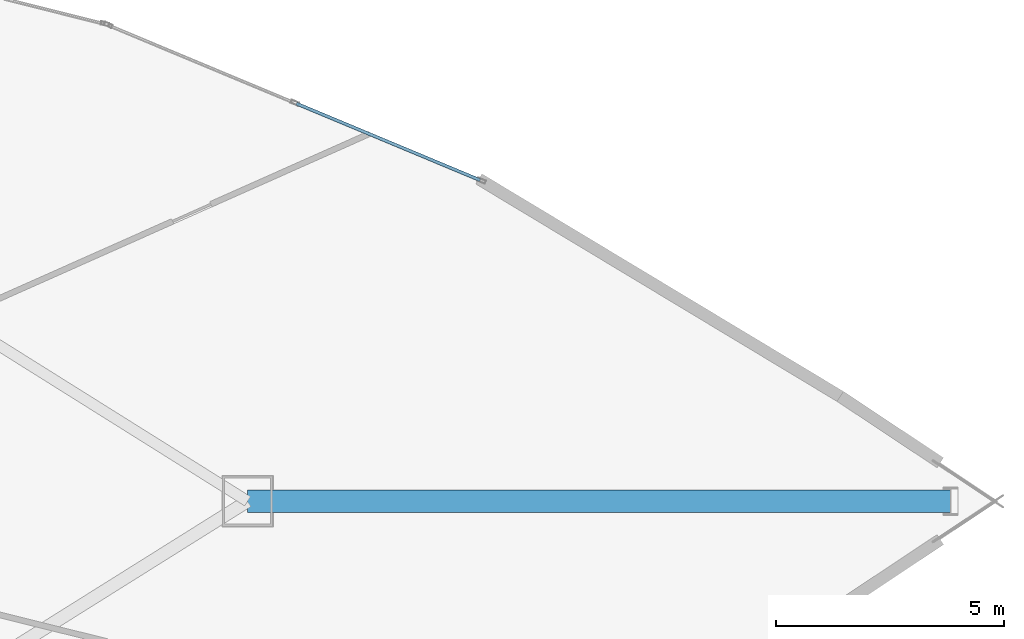
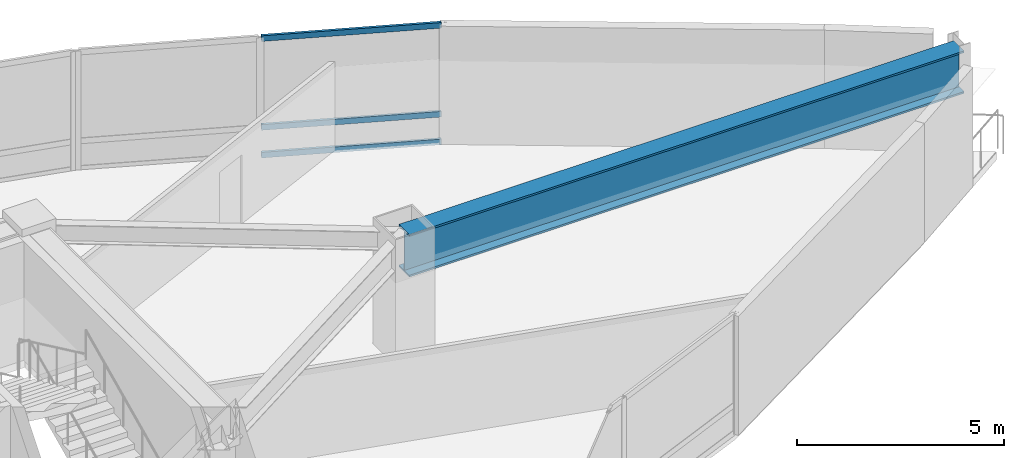
# One storey, part 11 of 18: 3 members, 1 beam, 1 element without a shape of its own.
"""IFC4 building model written with IfcOpenShell, lengths in metres."""

import ifcopenshell
import ifcopenshell.guid

model = None  # the IFC model being written
_history = None  # IfcOwnerHistory: only IFC2X3 demands one
_inside = {}  # id of a spatial element -> (the spatial element, [elements in it])
_under = {}  # id of a project, library or spatial element -> (it, [spatial elements below it])
_declared = {}  # id of a project -> (the project, [libraries it declares])
_typed = {}  # id of a type object -> (the type object, [elements of that type])
_made_of = {}  # id of a material, layer set ... -> (it, [elements and type objects made of it])


def new_model(schema):
    """Start an empty IFC model of exactly this schema.

    Asked for "IFC4X3", IfcOpenShell would pick the latest addendum, in which some entities
    have other attributes; the version numbers below select the first issue.
    IFC2X3 requires an IfcOwnerHistory on every rooted entity: one is made here for all.
    """
    global model, _history
    if schema == "IFC4X3":
        model = ifcopenshell.file(schema_version=(4, 3, 0, 0))
    else:
        model = ifcopenshell.file(schema=schema)
    _inside.clear()
    _under.clear()
    _declared.clear()
    _typed.clear()
    _made_of.clear()
    _history = None
    if model.schema == "IFC2X3":
        org = make("IfcOrganization", Name="unknown")
        user = make(
            "IfcPersonAndOrganization",
            ThePerson=make("IfcPerson", FamilyName="unknown"),
            TheOrganization=org,
        )
        app = make(
            "IfcApplication",
            ApplicationDeveloper=org,
            Version="unknown",
            ApplicationFullName="unknown",
            ApplicationIdentifier="unknown",
        )
        _history = make(
            "IfcOwnerHistory",
            OwningUser=user,
            OwningApplication=app,
            ChangeAction="ADDED",
            CreationDate=0,
        )
    return model


def make(cls, **values):
    """One entity of the class cls with the attributes given. An attribute that is None is left unset."""
    return model.create_entity(
        cls, **{name: value for name, value in values.items() if value is not None}
    )


def rooted(cls, **values):
    """An entity with a GlobalId (a new one), such as an element, a storey or a relation."""
    return make(cls, GlobalId=ifcopenshell.guid.new(), OwnerHistory=_history, **values)


def si_unit(unit_type, name, prefix=None):
    """IfcSIUnit, for example si_unit("LENGTHUNIT", "METRE", prefix="MILLI")."""
    return make("IfcSIUnit", UnitType=unit_type, Prefix=prefix, Name=name)


def assignment(units):
    """IfcUnitAssignment: the units of a project."""
    return None if units is None else make("IfcUnitAssignment", Units=units)


def point(xyz):
    """IfcCartesianPoint."""
    return None if xyz is None else make("IfcCartesianPoint", Coordinates=xyz)


def direction(xyz):
    """IfcDirection."""
    return None if xyz is None else make("IfcDirection", DirectionRatios=xyz)


def frame(location, z_axis=None, x_axis=None):
    """IfcAxis2Placement3D, a coordinate frame: its origin and axes. An axis left out is left unset."""
    return make(
        "IfcAxis2Placement3D",
        Location=point(location),
        Axis=direction(z_axis),
        RefDirection=direction(x_axis),
    )


def frame_2d(location, x_axis=None):
    """IfcAxis2Placement2D, a coordinate frame in the plane: its origin and x axis."""
    return make(
        "IfcAxis2Placement2D", Location=point(location), RefDirection=direction(x_axis)
    )


def origin():
    """The frame at (0, 0, 0) with its axes left unset."""
    return frame((0.0, 0.0, 0.0))


def origin_2d():
    """The frame at (0, 0) in the plane with its x axis left unset."""
    return frame_2d((0.0, 0.0))


def place(relative_to, where):
    """IfcLocalPlacement: puts the frame where relative to a parent placement (None: the world)."""
    return make(
        "IfcLocalPlacement", PlacementRelTo=relative_to, RelativePlacement=where
    )


def context(
    kind, dimensions, precision=None, world=None, true_north=None, identifier=None
):
    """IfcGeometricRepresentationContext, for example the 3D "Model" context."""
    return make(
        "IfcGeometricRepresentationContext",
        ContextIdentifier=identifier,
        ContextType=kind,
        CoordinateSpaceDimension=dimensions,
        Precision=precision,
        WorldCoordinateSystem=world,
        TrueNorth=true_north,
    )


def subcontext(parent, identifier, kind, view, scale=None):
    """IfcGeometricRepresentationSubContext, for example "Body" below "Model"."""
    return make(
        "IfcGeometricRepresentationSubContext",
        ContextIdentifier=identifier,
        ContextType=kind,
        ParentContext=parent,
        TargetScale=scale,
        TargetView=view,
    )


def project(units=None, contexts=None):
    """IfcProject with its units and contexts."""
    return rooted(
        "IfcProject",
        Name="project",
        RepresentationContexts=contexts,
        UnitsInContext=assignment(units),
    )


def spatial(cls, under=None, at=None, **own):
    """A site, building, storey or space (cls), placed at a placement, below another one or the project."""
    s = rooted(cls, ObjectPlacement=at, **own)
    if under is not None:
        _under.setdefault(under.id(), (under, []))[1].append(s)
    return s


def profile(cls, at=None, kind="AREA", **sizes):
    """A parametric profile (cls). Its sizes go by their IFC names, for example OverallWidth=200.0."""
    return make(cls, ProfileType=kind, Position=at, **sizes)


def hollow_rectangle(**sizes):
    """IfcRectangleHollowProfileDef."""
    return profile("IfcRectangleHollowProfileDef", **sizes)


def i_section(**sizes):
    """IfcIShapeProfileDef."""
    return profile("IfcIShapeProfileDef", **sizes)


def extrude(swept, where, along, depth):
    """IfcExtrudedAreaSolid: the profile swept, set in the frame where, extruded along a direction by depth."""
    return make(
        "IfcExtrudedAreaSolid",
        SweptArea=swept,
        Position=where,
        ExtrudedDirection=direction(along),
        Depth=depth,
    )


def shape(context_of_items, identifier, shape_type, items):
    """IfcShapeRepresentation: the items that make up one representation, for example the "Body"."""
    return make(
        "IfcShapeRepresentation",
        ContextOfItems=context_of_items,
        RepresentationIdentifier=identifier,
        RepresentationType=shape_type,
        Items=items,
    )


def material(Name=None, Category=None):
    """IfcMaterial."""
    return make("IfcMaterial", Name=Name, Category=Category)


def layer(
    of_material, thickness, ventilated=None, Name=None, Category=None, Priority=None
):
    """IfcMaterialLayer: one layer of a wall or slab, of a material (None: an air gap)."""
    return make(
        "IfcMaterialLayer",
        Material=of_material,
        LayerThickness=thickness,
        IsVentilated=ventilated,
        Name=Name,
        Category=Category,
        Priority=Priority,
    )


def layer_set(layers, Name=None):
    """IfcMaterialLayerSet."""
    return make("IfcMaterialLayerSet", MaterialLayers=layers, LayerSetName=Name)


def material_profile(
    of_material, cross_section, Name=None, Category=None, Priority=None
):
    """IfcMaterialProfile: a cross section and its material."""
    return make(
        "IfcMaterialProfile",
        Name=Name,
        Material=of_material,
        Profile=cross_section,
        Priority=Priority,
        Category=Category,
    )


def profile_set(profiles, Name=None, composite=None):
    """IfcMaterialProfileSet."""
    return make(
        "IfcMaterialProfileSet",
        Name=Name,
        MaterialProfiles=profiles,
        CompositeProfile=composite,
    )


def made_of(thing, what):
    """Note that an element or type object is made of a material, layer set ...; save() writes the relation."""
    if what is not None:
        _made_of.setdefault(what.id(), (what, []))[1].append(thing)
    return thing


def type_object(cls, material=None, **own):
    """A type object (cls), such as IfcWallType, which elements share."""
    return made_of(rooted(cls, **own), material)


def element(
    cls,
    number,
    at=None,
    inside=None,
    cuts=None,
    type_object=None,
    material=None,
    context=None,
    identifier="Body",
    shape_type=None,
    held_by="IfcProductDefinitionShape",
    body=None,
    shapes=None,
    **own,
):
    """One element of the class cls, such as IfcWall. Its Tag is "e" and its number.

    at: its placement. inside: the storey or other place that contains it. cuts: it is an
    opening in that element (IfcRelVoidsElement). A single representation is given by context,
    identifier, shape_type and body (its items); several are given by shapes. held_by: the class
    of the entity that holds the representations. save() writes the other relations.
    """
    e = rooted(cls, Tag="e%d" % number, ObjectPlacement=at, **own)
    if body is not None:
        shapes = [shape(context, identifier, shape_type, body)]
    if shapes is not None:
        e.Representation = make(held_by, Representations=shapes)
    if inside is not None:
        _inside.setdefault(inside.id(), (inside, []))[1].append(e)
    if cuts is not None:
        rooted(
            "IfcRelVoidsElement", RelatingBuildingElement=cuts, RelatedOpeningElement=e
        )
    if type_object is not None:
        _typed.setdefault(type_object.id(), (type_object, []))[1].append(e)
    return made_of(e, material)


def aggregate(whole, parts):
    """IfcRelAggregates: a whole, such as a stair, and the parts it consists of."""
    return rooted("IfcRelAggregates", RelatingObject=whole, RelatedObjects=parts)


def save(model, path):
    """Write the relations noted so far, then the file.

    IfcRelAggregates (storeys below a building ...), IfcRelContainedInSpatialStructure (elements
    in a storey), IfcRelDefinesByType, IfcRelAssociatesMaterial and IfcRelDeclares: one each for
    every whole, place, type object, material and project.
    """
    for whole, parts in _under.values():
        aggregate(whole, parts)
    for where, things in _inside.values():
        rooted(
            "IfcRelContainedInSpatialStructure",
            RelatedElements=things,
            RelatingStructure=where,
        )
    for kind, things in _typed.values():
        rooted("IfcRelDefinesByType", RelatedObjects=things, RelatingType=kind)
    for what, things in _made_of.values():
        rooted("IfcRelAssociatesMaterial", RelatedObjects=things, RelatingMaterial=what)
    for by, libraries in _declared.values():
        rooted("IfcRelDeclares", RelatingContext=by, RelatedDefinitions=libraries)
    model.write(path)


model = new_model("IFC4")

# Units and contexts
model_context = context("Model", 3, precision=1e-05, world=origin(), true_north=direction((0.0, 1.0)))
body_context = subcontext(model_context, "Body", "Model", "MODEL_VIEW")
ifc_project = project(units=[si_unit("LENGTHUNIT", "METRE"), si_unit("AREAUNIT", "SQUARE_METRE"), si_unit("VOLUMEUNIT", "CUBIC_METRE"), si_unit("PLANEANGLEUNIT", "RADIAN"), si_unit("MASSUNIT", "GRAM", prefix="KILO")], contexts=[model_context])

# Site, building, storey
site_placement = place(None, origin())
site = spatial("IfcSite", under=ifc_project, at=site_placement, CompositionType="ELEMENT")
building_placement = place(site_placement, origin())
building = spatial("IfcBuilding", under=site, at=building_placement, Name="Menara Vayukalpa", CompositionType="ELEMENT")
storey_placement = place(building_placement, frame((0.0, 0.0, 158.0400390625)))
storey = spatial("IfcBuildingStorey", under=building, at=storey_placement, Name="L39", CompositionType="ELEMENT", Elevation=158.0400390625)

# Beam
ifc_material_1 = material(Name="Steel S460", Category="steel")
ifc_material_profile_1 = material_profile(ifc_material_1, i_section(OverallWidth=0.5, OverallDepth=1.25, WebThickness=0.028076171875, FlangeThickness=0.054931640625, at=origin_2d()), Name="WG 1250x500x28x55")
ifc_profile_set_1 = profile_set([ifc_material_profile_1], Name="Steel S460")
beam_type = type_object("IfcBeamType", Name="BM-TG2", PredefinedType="BEAM", material=ifc_profile_set_1)
beam_placement = place(storey_placement, frame((41.05908203125, 22.0, 2.875), z_axis=(1.0, 0.0, 0.0), x_axis=(0.0, 1.0, 0.0)))
element("IfcBeam", 1, at=beam_placement, inside=storey, type_object=beam_type, Name="L39 SB3 Sky Bar Vierendeel Girder 01", PredefinedType="BEAM", context=body_context, shape_type="SweptSolid", body=[
    extrude(i_section(OverallWidth=0.5, OverallDepth=1.25, WebThickness=0.028076171875, FlangeThickness=0.054931640625, at=origin_2d()), origin(), (0.0, 0.0, 1.0), 15.44287109375),
])

# Curtain wall, members
ifc_material_2 = material(Name="Anodised Terracotta Aluminium Alloy 6063-T6", Category="masonry")
ifc_layer = layer(ifc_material_2, 0.179931640625)
ifc_layer_set = layer_set([ifc_layer], Name="Anodised Terracotta Aluminium Alloy 6063-T6")
curtain_wall_type = type_object("IfcCurtainWallType", Name="CW-CW4", PredefinedType="USERDEFINED", material=ifc_layer_set)
curtain_wall_placement = place(storey_placement, origin())
curtain_wall = element("IfcCurtainWall", 2, at=curtain_wall_placement, inside=storey, type_object=curtain_wall_type, Name="L39 Sky Bar Cantilever Glazed Curtain Wall CW4 04", ObjectType="UNITISED", PredefinedType="USERDEFINED")
ifc_material_3 = material(Name="Anodised Terracotta Aluminium Alloy 6063-T6", Category="masonry")
ifc_material_profile_2 = material_profile(ifc_material_3, hollow_rectangle(XDim=0.070068359375, YDim=0.1650390625, WallThickness=0.00390625, at=origin_2d()), Name="ALU 70x165x4")
ifc_profile_set_2 = profile_set([ifc_material_profile_2], Name="Anodised Terracotta Aluminium Alloy 6063-T6")
member_type = type_object("IfcMemberType", Name="CWT-CW4", PredefinedType="USERDEFINED", material=ifc_profile_set_2)
member_1_placement = place(storey_placement, frame((46.166015625, 29.05419921875, 0.034912109375), z_axis=(-0.9228767989, 0.385095331123, 0.0), x_axis=(-0.385095331123, -0.9228767989, 0.0)))
member_1 = element("IfcMember", 3, at=member_1_placement, type_object=member_type, Name="CW4 transom 1.1", ObjectType="TRANSOM", PredefinedType="USERDEFINED", context=body_context, shape_type="SweptSolid", body=[
    extrude(hollow_rectangle(XDim=0.070068359375, YDim=0.1650390625, WallThickness=0.00390625, at=origin_2d()), origin(), (0.0, 0.0, 1.0), 4.369873046875),
])
member_2_placement = place(storey_placement, frame((46.166015625, 29.05419921875, 0.849853515625), z_axis=(-0.9228767989, 0.385095331123, 0.0), x_axis=(-0.385095331123, -0.9228767989, 0.0)))
member_2 = element("IfcMember", 4, at=member_2_placement, type_object=member_type, Name="CW4 transom 1.2", ObjectType="TRANSOM", PredefinedType="USERDEFINED", context=body_context, shape_type="SweptSolid", body=[
    extrude(hollow_rectangle(XDim=0.070068359375, YDim=0.1650390625, WallThickness=0.00390625, at=origin_2d()), origin(), (0.0, 0.0, 1.0), 4.369873046875),
])
member_3_placement = place(storey_placement, frame((46.166015625, 29.05419921875, 3.46484375), z_axis=(-0.9228767989, 0.385095331123, 0.0), x_axis=(-0.385095331123, -0.9228767989, 0.0)))
member_3 = element("IfcMember", 5, at=member_3_placement, type_object=member_type, Name="CW4 transom 1.3", ObjectType="TRANSOM", PredefinedType="USERDEFINED", context=body_context, shape_type="SweptSolid", body=[
    extrude(hollow_rectangle(XDim=0.070068359375, YDim=0.1650390625, WallThickness=0.00390625, at=origin_2d()), origin(), (0.0, 0.0, 1.0), 4.369873046875),
])
aggregate(curtain_wall, [member_1, member_2, member_3])

save(model, "model.ifc")
